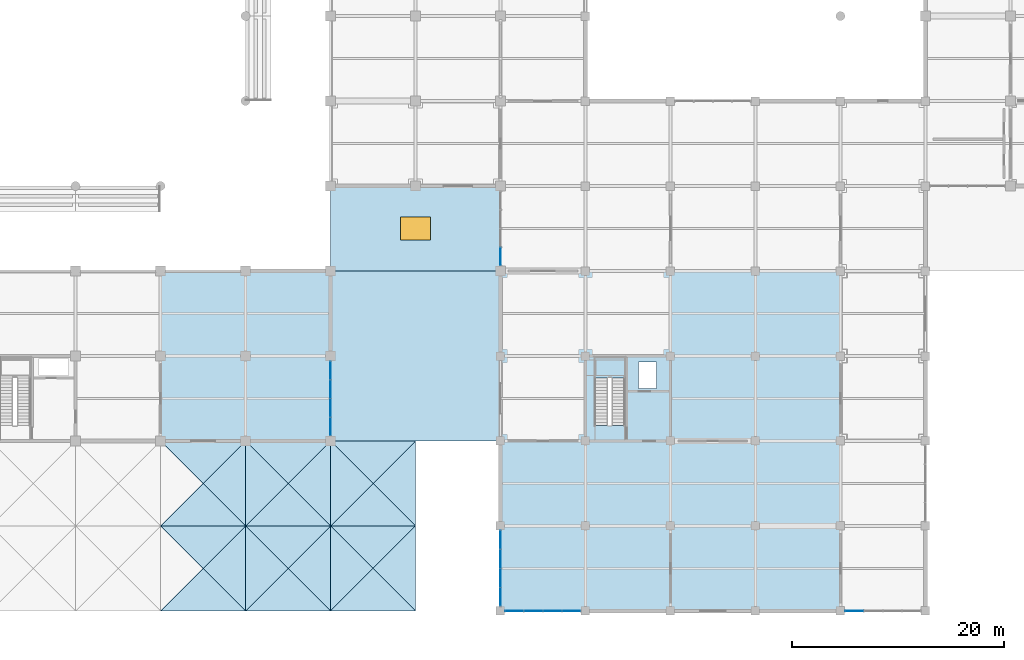
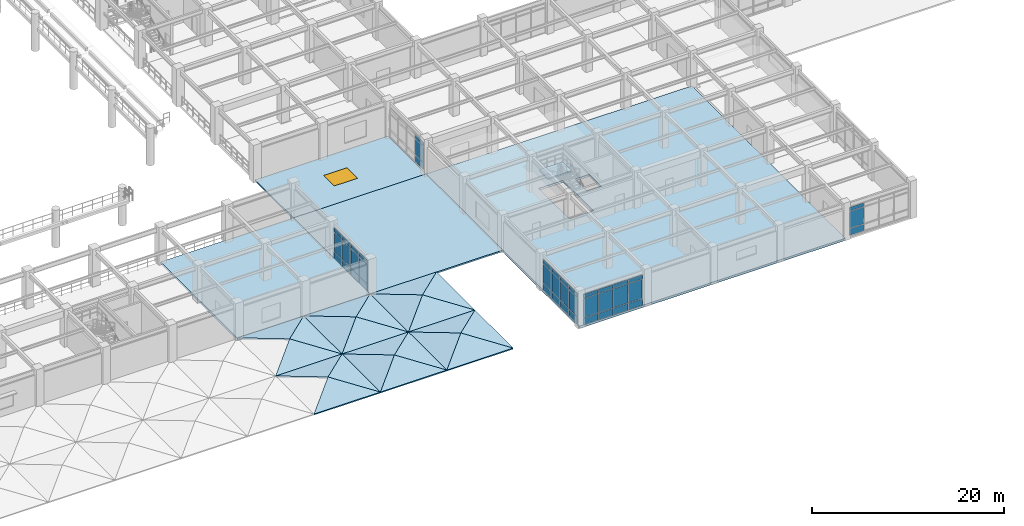
# One storey, part 58 of 109: 42 plates, 27 slabs, 1 window, 1 opening, 6 elements without a shape of their own.
"""IFC4 building model written with IfcOpenShell, lengths in metres."""

from ifc_helpers import new_model, si_unit, direction, frame, origin, origin_2d, place, context, subcontext, project, spatial, polyline, rectangle, outline, extrude, material, layer, layer_set, type_object, element, fill, aggregate, save


model = new_model("IFC4")

# Units and contexts
model_context = context("Model", 3, precision=1e-05, world=origin(), true_north=direction((0.0, 1.0)))
body_context = subcontext(model_context, "Body", "Model", "MODEL_VIEW")
ifc_project = project(units=[si_unit("LENGTHUNIT", "METRE"), si_unit("AREAUNIT", "SQUARE_METRE"), si_unit("VOLUMEUNIT", "CUBIC_METRE"), si_unit("PLANEANGLEUNIT", "RADIAN"), si_unit("MASSUNIT", "GRAM", prefix="KILO")], contexts=[model_context])

# Site, building, storey
site_placement = place(None, origin())
site = spatial("IfcSite", under=ifc_project, at=site_placement, CompositionType="ELEMENT")
building_placement = place(site_placement, origin())
building = spatial("IfcBuilding", under=site, at=building_placement, Name="Haebicheon Civic Stadium", CompositionType="ELEMENT")
storey_placement = place(building_placement, frame((0.0, 0.0, 9.60009765625)))
storey = spatial("IfcBuildingStorey", under=building, at=storey_placement, Name="L03", CompositionType="ELEMENT", Elevation=9.60009765625)

# Curtain wall, plates
ifc_material_1 = material(Name="Anodised aluminium and laminated glass", Category="aluminium")
ifc_layer_1 = layer(ifc_material_1, 0.179931640625, Name="Anodised aluminium and laminated glass")
ifc_layer_set_1 = layer_set([ifc_layer_1], Name="Anodised aluminium and laminated glass")
curtain_wall_type_1 = type_object("IfcCurtainWallType", Name="CW-7050x3950", PredefinedType="NOTDEFINED", material=ifc_layer_set_1)
curtain_wall_1_placement = place(storey_placement, origin())
curtain_wall_1 = element("IfcCurtainWall", 1, at=curtain_wall_1_placement, inside=storey, type_object=curtain_wall_type_1, material=ifc_layer_set_1, Name="L03 unitised curtain wall 082", PredefinedType="NOTDEFINED")
ifc_material_2 = material(Name="Double low-e laminated glass", Category="glass")
ifc_layer_2 = layer(ifc_material_2, 0.028076171875, Name="Double low-e laminated glass")
ifc_layer_set_2 = layer_set([ifc_layer_2], Name="Double low-e laminated glass")
plate_type_1 = type_object("IfcPlateType", Name="CWP-GLZ-28", PredefinedType="CURTAIN_PANEL", material=ifc_layer_set_2)
plate_1_placement = place(storey_placement, frame((144.0, 17.3740234375, 0.93505859375), z_axis=(0.0, 0.0, 1.0), x_axis=(0.0, 1.0, 0.0)))
plate_1 = element("IfcPlate", 2, at=plate_1_placement, type_object=plate_type_1, material=ifc_layer_set_2, Name="CW-L03-082 vision panel 1.2", PredefinedType="CURTAIN_PANEL", context=body_context, shape_type="SweptSolid", body=[
    extrude(rectangle(XDim=1.656982421875, YDim=0.028076171875, at=origin_2d()), origin(), (0.0, 0.0, 1.0), 2.429931640625),
])
plate_2_placement = place(storey_placement, frame((144.0, 19.117919921875, 0.93505859375), z_axis=(0.0, 0.0, 1.0), x_axis=(0.0, 1.0, 0.0)))
plate_2 = element("IfcPlate", 3, at=plate_2_placement, type_object=plate_type_1, material=ifc_layer_set_2, Name="CW-L03-082 vision panel 2.2", PredefinedType="CURTAIN_PANEL", context=body_context, shape_type="SweptSolid", body=[
    extrude(rectangle(XDim=1.693115234375, YDim=0.028076171875, at=origin_2d()), origin(), (0.0, 0.0, 1.0), 2.429931640625),
])
plate_3_placement = place(storey_placement, frame((144.0, 20.882080078125, 0.93505859375), z_axis=(0.0, 0.0, 1.0), x_axis=(0.0, 1.0, 0.0)))
plate_3 = element("IfcPlate", 4, at=plate_3_placement, type_object=plate_type_1, material=ifc_layer_set_2, Name="CW-L03-082 vision panel 3.2", PredefinedType="CURTAIN_PANEL", context=body_context, shape_type="SweptSolid", body=[
    extrude(rectangle(XDim=1.693115234375, YDim=0.028076171875, at=origin_2d()), origin(), (0.0, 0.0, 1.0), 2.429931640625),
])
plate_4_placement = place(storey_placement, frame((144.0, 22.6259765625, 0.93505859375), z_axis=(0.0, 0.0, 1.0), x_axis=(0.0, 1.0, 0.0)))
plate_4 = element("IfcPlate", 5, at=plate_4_placement, type_object=plate_type_1, material=ifc_layer_set_2, Name="CW-L03-082 vision panel 4.2", PredefinedType="CURTAIN_PANEL", context=body_context, shape_type="SweptSolid", body=[
    extrude(rectangle(XDim=1.656982421875, YDim=0.028076171875, at=origin_2d()), origin(), (0.0, 0.0, 1.0), 2.429931640625),
])

ifc_material_3 = material(Name="Anodised aluminium and laminated glass", Category="aluminium")
ifc_layer_3 = layer(ifc_material_3, 0.179931640625, Name="Anodised aluminium and laminated glass")
ifc_layer_set_3 = layer_set([ifc_layer_3], Name="Anodised aluminium and laminated glass")
curtain_wall_type_2 = type_object("IfcCurtainWallType", Name="CW-7200x3930", PredefinedType="NOTDEFINED", material=ifc_layer_set_3)
curtain_wall_2_placement = place(storey_placement, origin())
curtain_wall_2 = element("IfcCurtainWall", 6, at=curtain_wall_2_placement, inside=storey, type_object=curtain_wall_type_2, material=ifc_layer_set_3, Name="L03 unitised curtain wall 085", PredefinedType="NOTDEFINED")
plate_5_placement = place(storey_placement, frame((161.318115234375, 0.0, 0.93505859375), z_axis=(0.0, 0.0, 1.0), x_axis=(1.0, 0.0, 0.0)))
plate_5 = element("IfcPlate", 7, at=plate_5_placement, type_object=plate_type_1, material=ifc_layer_set_2, Name="CW-L03-085 vision panel 1.2", PredefinedType="CURTAIN_PANEL", context=body_context, shape_type="SweptSolid", body=[
    extrude(rectangle(XDim=1.695068359375, YDim=0.028076171875, at=origin_2d()), origin(), (0.0, 0.0, 1.0), 2.409912109375),
])
plate_6_placement = place(storey_placement, frame((163.10009765625, 0.0, 0.93505859375), z_axis=(0.0, 0.0, 1.0), x_axis=(1.0, 0.0, 0.0)))
plate_6 = element("IfcPlate", 8, at=plate_6_placement, type_object=plate_type_1, material=ifc_layer_set_2, Name="CW-L03-085 vision panel 2.2", PredefinedType="CURTAIN_PANEL", context=body_context, shape_type="SweptSolid", body=[
    extrude(rectangle(XDim=1.72998046875, YDim=0.028076171875, at=origin_2d()), origin(), (0.0, 0.0, 1.0), 2.409912109375),
])
plate_7_placement = place(storey_placement, frame((164.89990234375, 0.0, 0.93505859375), z_axis=(0.0, 0.0, 1.0), x_axis=(1.0, 0.0, 0.0)))
plate_7 = element("IfcPlate", 9, at=plate_7_placement, type_object=plate_type_1, material=ifc_layer_set_2, Name="CW-L03-085 vision panel 3.2", PredefinedType="CURTAIN_PANEL", context=body_context, shape_type="SweptSolid", body=[
    extrude(rectangle(XDim=1.72998046875, YDim=0.028076171875, at=origin_2d()), origin(), (0.0, 0.0, 1.0), 2.409912109375),
])
plate_8_placement = place(storey_placement, frame((166.681884765625, 0.0, 0.93505859375), z_axis=(0.0, 0.0, 1.0), x_axis=(1.0, 0.0, 0.0)))
plate_8 = element("IfcPlate", 10, at=plate_8_placement, type_object=plate_type_1, material=ifc_layer_set_2, Name="CW-L03-085 vision panel 4.2", PredefinedType="CURTAIN_PANEL", context=body_context, shape_type="SweptSolid", body=[
    extrude(rectangle(XDim=1.695068359375, YDim=0.028076171875, at=origin_2d()), origin(), (0.0, 0.0, 1.0), 2.409912109375),
])

curtain_wall_3_placement = place(storey_placement, origin())
curtain_wall_3 = element("IfcCurtainWall", 11, at=curtain_wall_3_placement, inside=storey, type_object=curtain_wall_type_2, material=ifc_layer_set_3, Name="L03 unitised curtain wall 086", PredefinedType="NOTDEFINED")
plate_9_placement = place(storey_placement, frame((160.0, 1.318115234375, 0.93505859375), z_axis=(0.0, 0.0, 1.0), x_axis=(0.0, 1.0, 0.0)))
plate_9 = element("IfcPlate", 12, at=plate_9_placement, type_object=plate_type_1, material=ifc_layer_set_2, Name="CW-L03-086 vision panel 1.2", PredefinedType="CURTAIN_PANEL", context=body_context, shape_type="SweptSolid", body=[
    extrude(rectangle(XDim=1.695068359375, YDim=0.028076171875, at=origin_2d()), origin(), (0.0, 0.0, 1.0), 2.409912109375),
])
plate_10_placement = place(storey_placement, frame((160.0, 3.10009765625, 0.93505859375), z_axis=(0.0, 0.0, 1.0), x_axis=(0.0, 1.0, 0.0)))
plate_10 = element("IfcPlate", 13, at=plate_10_placement, type_object=plate_type_1, material=ifc_layer_set_2, Name="CW-L03-086 vision panel 2.2", PredefinedType="CURTAIN_PANEL", context=body_context, shape_type="SweptSolid", body=[
    extrude(rectangle(XDim=1.72998046875, YDim=0.028076171875, at=origin_2d()), origin(), (0.0, 0.0, 1.0), 2.409912109375),
])
plate_11_placement = place(storey_placement, frame((160.0, 4.89990234375, 0.93505859375), z_axis=(0.0, 0.0, 1.0), x_axis=(0.0, 1.0, 0.0)))
plate_11 = element("IfcPlate", 14, at=plate_11_placement, type_object=plate_type_1, material=ifc_layer_set_2, Name="CW-L03-086 vision panel 3.2", PredefinedType="CURTAIN_PANEL", context=body_context, shape_type="SweptSolid", body=[
    extrude(rectangle(XDim=1.72998046875, YDim=0.028076171875, at=origin_2d()), origin(), (0.0, 0.0, 1.0), 2.409912109375),
])
plate_12_placement = place(storey_placement, frame((160.0, 6.681884765625, 0.93505859375), z_axis=(0.0, 0.0, 1.0), x_axis=(0.0, 1.0, 0.0)))
plate_12 = element("IfcPlate", 15, at=plate_12_placement, type_object=plate_type_1, material=ifc_layer_set_2, Name="CW-L03-086 vision panel 4.2", PredefinedType="CURTAIN_PANEL", context=body_context, shape_type="SweptSolid", body=[
    extrude(rectangle(XDim=1.695068359375, YDim=0.028076171875, at=origin_2d()), origin(), (0.0, 0.0, 1.0), 2.409912109375),
])

# Curtain wall, plate
ifc_material_4 = material(Name="Anodised aluminium and laminated glass", Category="aluminium")
ifc_layer_4 = layer(ifc_material_4, 0.179931640625, Name="Anodised aluminium and laminated glass")
ifc_layer_set_4 = layer_set([ifc_layer_4], Name="Anodised aluminium and laminated glass")
curtain_wall_type_3 = type_object("IfcCurtainWallType", Name="CW-7050x3520", PredefinedType="NOTDEFINED", material=ifc_layer_set_4)
curtain_wall_4_placement = place(storey_placement, origin())
curtain_wall_4 = element("IfcCurtainWall", 16, at=curtain_wall_4_placement, inside=storey, type_object=curtain_wall_type_3, material=ifc_layer_set_4, Name="L03 unitised curtain wall 087", PredefinedType="NOTDEFINED")
plate_13_placement = place(storey_placement, frame((160.0, 33.3740234375, 1.094970703125), z_axis=(0.0, 0.0, 1.0), x_axis=(0.0, 1.0, 0.0)))
plate_13 = element("IfcPlate", 17, at=plate_13_placement, type_object=plate_type_1, material=ifc_layer_set_2, Name="CW-L03-087 vision panel 1.2", PredefinedType="CURTAIN_PANEL", context=body_context, shape_type="SweptSolid", body=[
    extrude(rectangle(XDim=1.656982421875, YDim=0.028076171875, at=origin_2d()), origin(), (0.0, 0.0, 1.0), 2.0),
])

ifc_material_5 = material(Name="Anodised aluminium and laminated glass", Category="aluminium")
ifc_layer_5 = layer(ifc_material_5, 0.179931640625, Name="Anodised aluminium and laminated glass")
ifc_layer_set_5 = layer_set([ifc_layer_5], Name="Anodised aluminium and laminated glass")
curtain_wall_type_4 = type_object("IfcCurtainWallType", Name="CW-7200x3630", PredefinedType="NOTDEFINED", material=ifc_layer_set_5)
curtain_wall_5_placement = place(storey_placement, origin())
curtain_wall_5 = element("IfcCurtainWall", 18, at=curtain_wall_5_placement, inside=storey, type_object=curtain_wall_type_4, material=ifc_layer_set_5, Name="L03 unitised curtain wall 094", PredefinedType="NOTDEFINED")
plate_14_placement = place(storey_placement, frame((193.318115234375, 0.0, 1.0947265625), z_axis=(0.0, 0.0, 1.0), x_axis=(1.0, 0.0, 0.0)))
plate_14 = element("IfcPlate", 19, at=plate_14_placement, type_object=plate_type_1, material=ifc_layer_set_2, Name="CW-L03-094 vision panel 1.2", PredefinedType="CURTAIN_PANEL", context=body_context, shape_type="SweptSolid", body=[
    extrude(rectangle(XDim=1.695068359375, YDim=0.028076171875, at=origin_2d()), origin(), (0.0, 0.0, 1.0), 2.110107421875),
])

# Plate
ifc_material_6 = material(Name="Anodised aluminium 6063-T6", Category="aluminium")
ifc_layer_6 = layer(ifc_material_6, 0.0439453125, Name="Anodised aluminium 6063-T6")
ifc_layer_set_6 = layer_set([ifc_layer_6], Name="Anodised aluminium 6063-T6")
plate_type_2 = type_object("IfcPlateType", Name="CWP-SPD-44", PredefinedType="CURTAIN_PANEL", material=ifc_layer_set_6)
plate_15_placement = place(storey_placement, frame((144.0, 17.3740234375, 0.034912109375), z_axis=(0.0, 0.0, 1.0), x_axis=(0.0, 1.0, 0.0)))
plate_15 = element("IfcPlate", 20, at=plate_15_placement, type_object=plate_type_2, material=ifc_layer_set_6, Name="CW-L03-082 spandrel panel 1.1", PredefinedType="CURTAIN_PANEL", context=body_context, shape_type="SweptSolid", body=[
    extrude(rectangle(XDim=1.656982421875, YDim=0.0439453125, at=origin_2d()), origin(), (0.0, 0.0, 1.0), 0.830078125),
])

plate_16_placement = place(storey_placement, frame((144.0, 17.3740234375, 3.434814453125), z_axis=(0.0, 0.0, 1.0), x_axis=(0.0, 1.0, 0.0)))
plate_16 = element("IfcPlate", 21, at=plate_16_placement, type_object=plate_type_2, material=ifc_layer_set_6, Name="CW-L03-082 spandrel panel 1.3", PredefinedType="CURTAIN_PANEL", context=body_context, shape_type="SweptSolid", body=[
    extrude(rectangle(XDim=1.656982421875, YDim=0.0439453125, at=origin_2d()), origin(), (0.0, 0.0, 1.0), 0.47998046875),
])

plate_17_placement = place(storey_placement, frame((144.0, 19.117919921875, 0.034912109375), z_axis=(0.0, 0.0, 1.0), x_axis=(0.0, 1.0, 0.0)))
plate_17 = element("IfcPlate", 22, at=plate_17_placement, type_object=plate_type_2, material=ifc_layer_set_6, Name="CW-L03-082 spandrel panel 2.1", PredefinedType="CURTAIN_PANEL", context=body_context, shape_type="SweptSolid", body=[
    extrude(rectangle(XDim=1.693115234375, YDim=0.0439453125, at=origin_2d()), origin(), (0.0, 0.0, 1.0), 0.830078125),
])

plate_18_placement = place(storey_placement, frame((144.0, 19.117919921875, 3.434814453125), z_axis=(0.0, 0.0, 1.0), x_axis=(0.0, 1.0, 0.0)))
plate_18 = element("IfcPlate", 23, at=plate_18_placement, type_object=plate_type_2, material=ifc_layer_set_6, Name="CW-L03-082 spandrel panel 2.3", PredefinedType="CURTAIN_PANEL", context=body_context, shape_type="SweptSolid", body=[
    extrude(rectangle(XDim=1.693115234375, YDim=0.0439453125, at=origin_2d()), origin(), (0.0, 0.0, 1.0), 0.47998046875),
])

plate_19_placement = place(storey_placement, frame((144.0, 20.882080078125, 0.034912109375), z_axis=(0.0, 0.0, 1.0), x_axis=(0.0, 1.0, 0.0)))
plate_19 = element("IfcPlate", 24, at=plate_19_placement, type_object=plate_type_2, material=ifc_layer_set_6, Name="CW-L03-082 spandrel panel 3.1", PredefinedType="CURTAIN_PANEL", context=body_context, shape_type="SweptSolid", body=[
    extrude(rectangle(XDim=1.693115234375, YDim=0.0439453125, at=origin_2d()), origin(), (0.0, 0.0, 1.0), 0.830078125),
])

plate_20_placement = place(storey_placement, frame((144.0, 20.882080078125, 3.434814453125), z_axis=(0.0, 0.0, 1.0), x_axis=(0.0, 1.0, 0.0)))
plate_20 = element("IfcPlate", 25, at=plate_20_placement, type_object=plate_type_2, material=ifc_layer_set_6, Name="CW-L03-082 spandrel panel 3.3", PredefinedType="CURTAIN_PANEL", context=body_context, shape_type="SweptSolid", body=[
    extrude(rectangle(XDim=1.693115234375, YDim=0.0439453125, at=origin_2d()), origin(), (0.0, 0.0, 1.0), 0.47998046875),
])

plate_21_placement = place(storey_placement, frame((144.0, 22.6259765625, 0.034912109375), z_axis=(0.0, 0.0, 1.0), x_axis=(0.0, 1.0, 0.0)))
plate_21 = element("IfcPlate", 26, at=plate_21_placement, type_object=plate_type_2, material=ifc_layer_set_6, Name="CW-L03-082 spandrel panel 4.1", PredefinedType="CURTAIN_PANEL", context=body_context, shape_type="SweptSolid", body=[
    extrude(rectangle(XDim=1.656982421875, YDim=0.0439453125, at=origin_2d()), origin(), (0.0, 0.0, 1.0), 0.830078125),
])

plate_22_placement = place(storey_placement, frame((144.0, 22.6259765625, 3.434814453125), z_axis=(0.0, 0.0, 1.0), x_axis=(0.0, 1.0, 0.0)))
plate_22 = element("IfcPlate", 27, at=plate_22_placement, type_object=plate_type_2, material=ifc_layer_set_6, Name="CW-L03-082 spandrel panel 4.3", PredefinedType="CURTAIN_PANEL", context=body_context, shape_type="SweptSolid", body=[
    extrude(rectangle(XDim=1.656982421875, YDim=0.0439453125, at=origin_2d()), origin(), (0.0, 0.0, 1.0), 0.47998046875),
])

aggregate(curtain_wall_1, [plate_15, plate_1, plate_16, plate_17, plate_2, plate_18, plate_19, plate_3, plate_20, plate_21, plate_4, plate_22])

plate_23_placement = place(storey_placement, frame((161.318115234375, 0.0, 0.034912109375), z_axis=(0.0, 0.0, 1.0), x_axis=(1.0, 0.0, 0.0)))
plate_23 = element("IfcPlate", 28, at=plate_23_placement, type_object=plate_type_2, material=ifc_layer_set_6, Name="CW-L03-085 spandrel panel 1.1", PredefinedType="CURTAIN_PANEL", context=body_context, shape_type="SweptSolid", body=[
    extrude(rectangle(XDim=1.695068359375, YDim=0.0439453125, at=origin_2d()), origin(), (0.0, 0.0, 1.0), 0.830078125),
])

plate_24_placement = place(storey_placement, frame((161.318115234375, 0.0, 3.414794921875), z_axis=(0.0, 0.0, 1.0), x_axis=(1.0, 0.0, 0.0)))
plate_24 = element("IfcPlate", 29, at=plate_24_placement, type_object=plate_type_2, material=ifc_layer_set_6, Name="CW-L03-085 spandrel panel 1.3", PredefinedType="CURTAIN_PANEL", context=body_context, shape_type="SweptSolid", body=[
    extrude(rectangle(XDim=1.695068359375, YDim=0.0439453125, at=origin_2d()), origin(), (0.0, 0.0, 1.0), 0.47998046875),
])

plate_25_placement = place(storey_placement, frame((163.10009765625, 0.0, 0.034912109375), z_axis=(0.0, 0.0, 1.0), x_axis=(1.0, 0.0, 0.0)))
plate_25 = element("IfcPlate", 30, at=plate_25_placement, type_object=plate_type_2, material=ifc_layer_set_6, Name="CW-L03-085 spandrel panel 2.1", PredefinedType="CURTAIN_PANEL", context=body_context, shape_type="SweptSolid", body=[
    extrude(rectangle(XDim=1.72998046875, YDim=0.0439453125, at=origin_2d()), origin(), (0.0, 0.0, 1.0), 0.830078125),
])

plate_26_placement = place(storey_placement, frame((163.10009765625, 0.0, 3.414794921875), z_axis=(0.0, 0.0, 1.0), x_axis=(1.0, 0.0, 0.0)))
plate_26 = element("IfcPlate", 31, at=plate_26_placement, type_object=plate_type_2, material=ifc_layer_set_6, Name="CW-L03-085 spandrel panel 2.3", PredefinedType="CURTAIN_PANEL", context=body_context, shape_type="SweptSolid", body=[
    extrude(rectangle(XDim=1.72998046875, YDim=0.0439453125, at=origin_2d()), origin(), (0.0, 0.0, 1.0), 0.47998046875),
])

plate_27_placement = place(storey_placement, frame((164.89990234375, 0.0, 0.034912109375), z_axis=(0.0, 0.0, 1.0), x_axis=(1.0, 0.0, 0.0)))
plate_27 = element("IfcPlate", 32, at=plate_27_placement, type_object=plate_type_2, material=ifc_layer_set_6, Name="CW-L03-085 spandrel panel 3.1", PredefinedType="CURTAIN_PANEL", context=body_context, shape_type="SweptSolid", body=[
    extrude(rectangle(XDim=1.72998046875, YDim=0.0439453125, at=origin_2d()), origin(), (0.0, 0.0, 1.0), 0.830078125),
])

plate_28_placement = place(storey_placement, frame((164.89990234375, 0.0, 3.414794921875), z_axis=(0.0, 0.0, 1.0), x_axis=(1.0, 0.0, 0.0)))
plate_28 = element("IfcPlate", 33, at=plate_28_placement, type_object=plate_type_2, material=ifc_layer_set_6, Name="CW-L03-085 spandrel panel 3.3", PredefinedType="CURTAIN_PANEL", context=body_context, shape_type="SweptSolid", body=[
    extrude(rectangle(XDim=1.72998046875, YDim=0.0439453125, at=origin_2d()), origin(), (0.0, 0.0, 1.0), 0.47998046875),
])

plate_29_placement = place(storey_placement, frame((166.681884765625, 0.0, 0.034912109375), z_axis=(0.0, 0.0, 1.0), x_axis=(1.0, 0.0, 0.0)))
plate_29 = element("IfcPlate", 34, at=plate_29_placement, type_object=plate_type_2, material=ifc_layer_set_6, Name="CW-L03-085 spandrel panel 4.1", PredefinedType="CURTAIN_PANEL", context=body_context, shape_type="SweptSolid", body=[
    extrude(rectangle(XDim=1.695068359375, YDim=0.0439453125, at=origin_2d()), origin(), (0.0, 0.0, 1.0), 0.830078125),
])

plate_30_placement = place(storey_placement, frame((166.681884765625, 0.0, 3.414794921875), z_axis=(0.0, 0.0, 1.0), x_axis=(1.0, 0.0, 0.0)))
plate_30 = element("IfcPlate", 35, at=plate_30_placement, type_object=plate_type_2, material=ifc_layer_set_6, Name="CW-L03-085 spandrel panel 4.3", PredefinedType="CURTAIN_PANEL", context=body_context, shape_type="SweptSolid", body=[
    extrude(rectangle(XDim=1.695068359375, YDim=0.0439453125, at=origin_2d()), origin(), (0.0, 0.0, 1.0), 0.47998046875),
])

aggregate(curtain_wall_2, [plate_23, plate_5, plate_24, plate_25, plate_6, plate_26, plate_27, plate_7, plate_28, plate_29, plate_8, plate_30])

plate_31_placement = place(storey_placement, frame((160.0, 1.318115234375, 0.034912109375), z_axis=(0.0, 0.0, 1.0), x_axis=(0.0, 1.0, 0.0)))
plate_31 = element("IfcPlate", 36, at=plate_31_placement, type_object=plate_type_2, material=ifc_layer_set_6, Name="CW-L03-086 spandrel panel 1.1", PredefinedType="CURTAIN_PANEL", context=body_context, shape_type="SweptSolid", body=[
    extrude(rectangle(XDim=1.695068359375, YDim=0.0439453125, at=origin_2d()), origin(), (0.0, 0.0, 1.0), 0.830078125),
])

plate_32_placement = place(storey_placement, frame((160.0, 1.318115234375, 3.414794921875), z_axis=(0.0, 0.0, 1.0), x_axis=(0.0, 1.0, 0.0)))
plate_32 = element("IfcPlate", 37, at=plate_32_placement, type_object=plate_type_2, material=ifc_layer_set_6, Name="CW-L03-086 spandrel panel 1.3", PredefinedType="CURTAIN_PANEL", context=body_context, shape_type="SweptSolid", body=[
    extrude(rectangle(XDim=1.695068359375, YDim=0.0439453125, at=origin_2d()), origin(), (0.0, 0.0, 1.0), 0.47998046875),
])

plate_33_placement = place(storey_placement, frame((160.0, 3.10009765625, 0.034912109375), z_axis=(0.0, 0.0, 1.0), x_axis=(0.0, 1.0, 0.0)))
plate_33 = element("IfcPlate", 38, at=plate_33_placement, type_object=plate_type_2, material=ifc_layer_set_6, Name="CW-L03-086 spandrel panel 2.1", PredefinedType="CURTAIN_PANEL", context=body_context, shape_type="SweptSolid", body=[
    extrude(rectangle(XDim=1.72998046875, YDim=0.0439453125, at=origin_2d()), origin(), (0.0, 0.0, 1.0), 0.830078125),
])

plate_34_placement = place(storey_placement, frame((160.0, 3.10009765625, 3.414794921875), z_axis=(0.0, 0.0, 1.0), x_axis=(0.0, 1.0, 0.0)))
plate_34 = element("IfcPlate", 39, at=plate_34_placement, type_object=plate_type_2, material=ifc_layer_set_6, Name="CW-L03-086 spandrel panel 2.3", PredefinedType="CURTAIN_PANEL", context=body_context, shape_type="SweptSolid", body=[
    extrude(rectangle(XDim=1.72998046875, YDim=0.0439453125, at=origin_2d()), origin(), (0.0, 0.0, 1.0), 0.47998046875),
])

plate_35_placement = place(storey_placement, frame((160.0, 4.89990234375, 0.034912109375), z_axis=(0.0, 0.0, 1.0), x_axis=(0.0, 1.0, 0.0)))
plate_35 = element("IfcPlate", 40, at=plate_35_placement, type_object=plate_type_2, material=ifc_layer_set_6, Name="CW-L03-086 spandrel panel 3.1", PredefinedType="CURTAIN_PANEL", context=body_context, shape_type="SweptSolid", body=[
    extrude(rectangle(XDim=1.72998046875, YDim=0.0439453125, at=origin_2d()), origin(), (0.0, 0.0, 1.0), 0.830078125),
])

plate_36_placement = place(storey_placement, frame((160.0, 4.89990234375, 3.414794921875), z_axis=(0.0, 0.0, 1.0), x_axis=(0.0, 1.0, 0.0)))
plate_36 = element("IfcPlate", 41, at=plate_36_placement, type_object=plate_type_2, material=ifc_layer_set_6, Name="CW-L03-086 spandrel panel 3.3", PredefinedType="CURTAIN_PANEL", context=body_context, shape_type="SweptSolid", body=[
    extrude(rectangle(XDim=1.72998046875, YDim=0.0439453125, at=origin_2d()), origin(), (0.0, 0.0, 1.0), 0.47998046875),
])

plate_37_placement = place(storey_placement, frame((160.0, 6.681884765625, 0.034912109375), z_axis=(0.0, 0.0, 1.0), x_axis=(0.0, 1.0, 0.0)))
plate_37 = element("IfcPlate", 42, at=plate_37_placement, type_object=plate_type_2, material=ifc_layer_set_6, Name="CW-L03-086 spandrel panel 4.1", PredefinedType="CURTAIN_PANEL", context=body_context, shape_type="SweptSolid", body=[
    extrude(rectangle(XDim=1.695068359375, YDim=0.0439453125, at=origin_2d()), origin(), (0.0, 0.0, 1.0), 0.830078125),
])

plate_38_placement = place(storey_placement, frame((160.0, 6.681884765625, 3.414794921875), z_axis=(0.0, 0.0, 1.0), x_axis=(0.0, 1.0, 0.0)))
plate_38 = element("IfcPlate", 43, at=plate_38_placement, type_object=plate_type_2, material=ifc_layer_set_6, Name="CW-L03-086 spandrel panel 4.3", PredefinedType="CURTAIN_PANEL", context=body_context, shape_type="SweptSolid", body=[
    extrude(rectangle(XDim=1.695068359375, YDim=0.0439453125, at=origin_2d()), origin(), (0.0, 0.0, 1.0), 0.47998046875),
])

aggregate(curtain_wall_3, [plate_31, plate_9, plate_32, plate_33, plate_10, plate_34, plate_35, plate_11, plate_36, plate_37, plate_12, plate_38])

plate_39_placement = place(storey_placement, frame((160.0, 33.3740234375, 0.19482421875), z_axis=(0.0, 0.0, 1.0), x_axis=(0.0, 1.0, 0.0)))
plate_39 = element("IfcPlate", 44, at=plate_39_placement, type_object=plate_type_2, material=ifc_layer_set_6, Name="CW-L03-087 spandrel panel 1.1", PredefinedType="CURTAIN_PANEL", context=body_context, shape_type="SweptSolid", body=[
    extrude(rectangle(XDim=1.656982421875, YDim=0.0439453125, at=origin_2d()), origin(), (0.0, 0.0, 1.0), 0.830078125),
])

plate_40_placement = place(storey_placement, frame((160.0, 33.3740234375, 3.164794921875), z_axis=(0.0, 0.0, 1.0), x_axis=(0.0, 1.0, 0.0)))
plate_40 = element("IfcPlate", 45, at=plate_40_placement, type_object=plate_type_2, material=ifc_layer_set_6, Name="CW-L03-087 spandrel panel 1.3", PredefinedType="CURTAIN_PANEL", context=body_context, shape_type="SweptSolid", body=[
    extrude(rectangle(XDim=1.656982421875, YDim=0.0439453125, at=origin_2d()), origin(), (0.0, 0.0, 1.0), 0.47998046875),
])

aggregate(curtain_wall_4, [plate_39, plate_13, plate_40])

plate_41_placement = place(storey_placement, frame((193.318115234375, 0.0, 0.19482421875), z_axis=(0.0, 0.0, 1.0), x_axis=(1.0, 0.0, 0.0)))
plate_41 = element("IfcPlate", 46, at=plate_41_placement, type_object=plate_type_2, material=ifc_layer_set_6, Name="CW-L03-094 spandrel panel 1.1", PredefinedType="CURTAIN_PANEL", context=body_context, shape_type="SweptSolid", body=[
    extrude(rectangle(XDim=1.695068359375, YDim=0.0439453125, at=origin_2d()), origin(), (0.0, 0.0, 1.0), 0.830078125),
])

plate_42_placement = place(storey_placement, frame((193.318115234375, 0.0, 3.27490234375), z_axis=(0.0, 0.0, 1.0), x_axis=(1.0, 0.0, 0.0)))
plate_42 = element("IfcPlate", 47, at=plate_42_placement, type_object=plate_type_2, material=ifc_layer_set_6, Name="CW-L03-094 spandrel panel 1.3", PredefinedType="CURTAIN_PANEL", context=body_context, shape_type="SweptSolid", body=[
    extrude(rectangle(XDim=1.695068359375, YDim=0.0439453125, at=origin_2d()), origin(), (0.0, 0.0, 1.0), 0.47998046875),
])

aggregate(curtain_wall_5, [plate_41, plate_14, plate_42])

# Slabs
ifc_material_7 = material(Name="Concrete C40/50", Category="concrete")
ifc_layer_7 = layer(ifc_material_7, 0.280029296875, Name="Concrete C40/50")
ifc_layer_set_7 = layer_set([ifc_layer_7], Name="Concrete C40/50")
slab_type_1 = type_object("IfcSlabType", Name="SLB-FLR-280", PredefinedType="FLOOR", material=ifc_layer_set_7)
slab_1_placement = place(storey_placement, frame((0.0, 0.0, -0.280029296875)))
element("IfcSlab", 48, at=slab_1_placement, inside=storey, type_object=slab_type_1, material=ifc_layer_set_7, Name="L03 V2 structural slab 7.1", PredefinedType="FLOOR", context=body_context, shape_type="SweptSolid", body=[
    extrude(outline(polyline([(128.0, 24.0), (128.0, 32.0), (136.0, 32.0), (144.0, 32.0), (144.0, 24.0), (144.0, 16.0), (136.0, 16.0), (128.0, 16.0), (128.0, 24.0)])), origin(), (0.0, 0.0, 1.0), 0.280029296875),
])
slab_2_placement = place(storey_placement, frame((0.0, 0.0, -0.280029296875)))
element("IfcSlab", 49, at=slab_2_placement, inside=storey, type_object=slab_type_1, material=ifc_layer_set_7, Name="L03 V4 structural slab 1.1", PredefinedType="FLOOR", context=body_context, shape_type="SweptSolid", body=[
    extrude(outline(polyline([(160.0, 24.0), (160.0, 32.0), (168.0, 32.0), (176.0, 32.0), (184.0, 32.0), (192.0, 32.0), (192.0, 24.0), (192.0, 16.0), (192.0, 8.0), (192.0, 0.0), (184.0, 0.0), (176.0, 0.0), (168.0, 0.0), (160.0, 0.0), (160.0, 8.0), (160.0, 16.0), (160.0, 24.0)]), holes=[polyline([(168.840087890625, 17.4599609375), (171.739990234375, 17.4599609375), (171.739990234375, 23.840087890625), (168.840087890625, 23.840087890625), (168.840087890625, 17.4599609375)]), polyline([(172.969970703125, 20.929931640625), (174.669921875, 20.929931640625), (174.669921875, 23.429931640625), (172.969970703125, 23.429931640625), (172.969970703125, 20.929931640625)])]), origin(), (0.0, 0.0, 1.0), 0.280029296875),
])

# Stair, slab
ifc_material_8 = material(Name="Concrete C40/50", Category="concrete")
stair_type = type_object("IfcStairType", Name="STR-DL-W128-H48", PredefinedType="HALF_TURN_STAIR", material=ifc_material_8)
stair_placement = place(storey_placement, origin())
stair = element("IfcStair", 50, at=stair_placement, inside=storey, type_object=stair_type, material=ifc_material_8, Name="L03 Escape stair ST-14", PredefinedType="HALF_TURN_STAIR")
ifc_material_9 = material(Name="Concrete C40/50", Category="concrete")
ifc_layer_8 = layer(ifc_material_9, 0.199951171875, Name="Concrete C40/50")
ifc_layer_set_8 = layer_set([ifc_layer_8], Name="Concrete C40/50")
slab_type_2 = type_object("IfcSlabType", Name="SLB-LND-200", PredefinedType="LANDING", material=ifc_layer_set_8)
slab_3_placement = place(storey_placement, frame((0.0, 0.0, 2.199951171875)))
slab_3 = element("IfcSlab", 51, at=slab_3_placement, type_object=slab_type_2, material=ifc_layer_set_8, Name="ST-14 landing 1", PredefinedType="LANDING", context=body_context, shape_type="SweptSolid", body=[
    extrude(outline(polyline([(171.739990234375, 21.949951171875), (171.739990234375, 23.840087890625), (168.840087890625, 23.840087890625), (168.840087890625, 21.949951171875), (171.739990234375, 21.949951171875)])), origin(), (0.0, 0.0, 1.0), 0.199951171875),
])
aggregate(stair, [slab_3])

# Slabs
ifc_material_10 = material(Name="Precast concrete C40/50", Category="concrete")
ifc_layer_9 = layer(ifc_material_10, 0.169921875, Name="Precast concrete C40/50")
ifc_layer_set_9 = layer_set([ifc_layer_9], Name="Precast concrete C40/50")
slab_type_3 = type_object("IfcSlabType", Name="SLB-ROOF-170", PredefinedType="ROOF", material=ifc_layer_set_9)
for number, where, z_axis, x_axis, name in (
    (52, (128.0, 0.0, 0.02001953125), (0.0, -0.21948952406, 0.97561485681), (1.0, 0.0, 0.0), "L03 V6 folded shell roof facet 25.S"),
    (53, (136.0, 0.0, 0.02001953125), (0.21948952406, 0.0, 0.97561485681), (0.0, 1.0, 0.0), "L03 V6 folded shell roof facet 25.E"),
    (54, (136.0, 8.0, 0.02001953125), (0.0, 0.21948952406, 0.97561485681), (-1.0, 0.0, 0.0), "L03 V6 folded shell roof facet 25.N"),
    (55, (128.0, 8.0, 0.02001953125), (0.0, -0.21948952406, 0.97561485681), (1.0, 0.0, 0.0), "L03 V6 folded shell roof facet 26.S"),
    (56, (136.0, 8.0, 0.02001953125), (0.21948952406, 0.0, 0.97561485681), (0.0, 1.0, 0.0), "L03 V6 folded shell roof facet 26.E"),
    (57, (136.0, 16.0, 0.02001953125), (0.0, 0.21948952406, 0.97561485681), (-1.0, 0.0, 0.0), "L03 V6 folded shell roof facet 26.N"),
    (58, (136.0, 0.0, 0.02001953125), (0.0, -0.21948952406, 0.97561485681), (1.0, 0.0, 0.0), "L03 V6 folded shell roof facet 27.S"),
    (59, (144.0, 0.0, 0.02001953125), (0.21948952406, 0.0, 0.97561485681), (0.0, 1.0, 0.0), "L03 V6 folded shell roof facet 27.E"),
    (60, (144.0, 8.0, 0.02001953125), (0.0, 0.21948952406, 0.97561485681), (-1.0, 0.0, 0.0), "L03 V6 folded shell roof facet 27.N"),
    (61, (136.0, 8.0, 0.02001953125), (-0.21948952406, 0.0, 0.97561485681), (0.0, -1.0, 0.0), "L03 V6 folded shell roof facet 27.W"),
    (62, (136.0, 8.0, 0.02001953125), (0.0, -0.21948952406, 0.97561485681), (1.0, 0.0, 0.0), "L03 V6 folded shell roof facet 28.S"),
    (63, (144.0, 8.0, 0.02001953125), (0.21948952406, 0.0, 0.97561485681), (0.0, 1.0, 0.0), "L03 V6 folded shell roof facet 28.E"),
    (64, (144.0, 16.0, 0.02001953125), (0.0, 0.21948952406, 0.97561485681), (-1.0, 0.0, 0.0), "L03 V6 folded shell roof facet 28.N"),
    (65, (136.0, 16.0, 0.02001953125), (-0.21948952406, 0.0, 0.97561485681), (0.0, -1.0, 0.0), "L03 V6 folded shell roof facet 28.W"),
    (66, (144.0, 0.0, 0.02001953125), (0.0, -0.21948952406, 0.97561485681), (1.0, 0.0, 0.0), "L03 V6 folded shell roof facet 29.S"),
    (67, (152.0, 0.0, 0.02001953125), (0.21948952406, 0.0, 0.97561485681), (0.0, 1.0, 0.0), "L03 V6 folded shell roof facet 29.E"),
    (68, (152.0, 8.0, 0.02001953125), (0.0, 0.21948952406, 0.97561485681), (-1.0, 0.0, 0.0), "L03 V6 folded shell roof facet 29.N"),
    (69, (144.0, 8.0, 0.02001953125), (-0.21948952406, 0.0, 0.97561485681), (0.0, -1.0, 0.0), "L03 V6 folded shell roof facet 29.W"),
    (70, (144.0, 8.0, 0.02001953125), (0.0, -0.21948952406, 0.97561485681), (1.0, 0.0, 0.0), "L03 V6 folded shell roof facet 30.S"),
    (71, (152.0, 8.0, 0.02001953125), (0.21948952406, 0.0, 0.97561485681), (0.0, 1.0, 0.0), "L03 V6 folded shell roof facet 30.E"),
    (72, (152.0, 16.0, 0.02001953125), (0.0, 0.21948952406, 0.97561485681), (-1.0, 0.0, 0.0), "L03 V6 folded shell roof facet 30.N"),
    (73, (144.0, 16.0, 0.02001953125), (-0.21948952406, 0.0, 0.97561485681), (0.0, -1.0, 0.0), "L03 V6 folded shell roof facet 30.W"),
):
    element("IfcSlab", number, at=place(storey_placement, frame(where, z_axis=z_axis, x_axis=x_axis)), inside=storey, type_object=slab_type_3, material=ifc_layer_set_9, Name=name, PredefinedType="ROOF", context=body_context, shape_type="SweptSolid", body=[
        extrude(outline(polyline([(0.0, 0.0), (8.0, 0.0), (4.0, 4.099978564369178), (0.0, 0.0)])), origin(), (0.0, 0.0, -1.0), 0.169921875),
    ])
ifc_material_11 = material(Name="Concrete C40/50", Category="concrete")
ifc_layer_10 = layer(ifc_material_11, 0.18994140625, Name="Concrete C40/50")
ifc_layer_set_10 = layer_set([ifc_layer_10], Name="Concrete C40/50")
slab_type_4 = type_object("IfcSlabType", Name="SLB-ROOF-190", PredefinedType="ROOF", material=ifc_layer_set_10)
slab_4_placement = place(storey_placement, frame((0.0, 0.0, -0.190185546875)))
element("IfcSlab", 74, at=slab_4_placement, inside=storey, type_object=slab_type_4, material=ifc_layer_set_10, Name="L03 V4 roof deck slab 1", PredefinedType="ROOF", context=body_context, shape_type="SweptSolid", body=[
    extrude(outline(polyline([(144.0, 32.0), (160.0, 32.0), (160.0, 16.0), (144.0, 16.0), (144.0, 32.0)])), origin(), (0.0, 0.0, 1.0), 0.190185546875),
])

# Slab, opening, window
ifc_material_12 = material(Name="Concrete C40/50", Category="concrete")
ifc_layer_11 = layer(ifc_material_12, 0.219970703125, Name="Concrete C40/50")
ifc_layer_set_11 = layer_set([ifc_layer_11], Name="Concrete C40/50")
slab_type_5 = type_object("IfcSlabType", Name="SLB-ROOF-220", PredefinedType="ROOF", material=ifc_layer_set_11)
slab_5_placement = place(storey_placement, frame((0.0, 0.0, -0.22021484375)))
slab_5 = element("IfcSlab", 75, at=slab_5_placement, inside=storey, type_object=slab_type_5, material=ifc_layer_set_11, Name="L03 V2 roof deck slab 2", PredefinedType="ROOF", context=body_context, shape_type="SweptSolid", body=[
    extrude(outline(polyline([(160.0, 40.0), (160.0, 32.0), (144.0, 32.0), (144.0, 40.0), (160.0, 40.0)])), origin(), (0.0, 0.0, 1.0), 0.22021484375),
])
opening_placement = place(slab_5_placement, frame((152.0, 36.0, -0.010009765625)))
opening = element("IfcOpeningElement", 76, at=opening_placement, cuts=slab_5, Name="Opening SKY-280x220", PredefinedType="OPENING", context=body_context, shape_type="SweptSolid", body=[
    extrude(rectangle(XDim=2.800048828125, YDim=2.199951171875, at=origin_2d()), origin(), (0.0, 0.0, 1.0), 0.240234375),
])
ifc_material_13 = material(Name="Anodised aluminium and laminated glass", Category="aluminium")
window_type = type_object("IfcWindowType", Name="SKY-280x220", PartitioningType="SINGLE_PANEL", PredefinedType="SKYLIGHT", material=ifc_material_13)
window_placement = place(slab_5_placement, frame((152.0, 36.0, 0.170166015625)))
window = element("IfcWindow", 77, at=window_placement, inside=storey, type_object=window_type, material=ifc_material_13, Name="L03 glazed roof skylight 11", OverallHeight=2.199951171875, OverallWidth=2.800048828125, PartitioningType="SINGLE_PANEL", PredefinedType="SKYLIGHT", context=body_context, shape_type="SweptSolid", body=[
    extrude(rectangle(XDim=2.800048828125, YDim=2.199951171875, at=origin_2d()), origin(), (0.0, 0.0, 1.0), 0.050048828125),
])
fill(opening, window)

save(model, "model.ifc")
